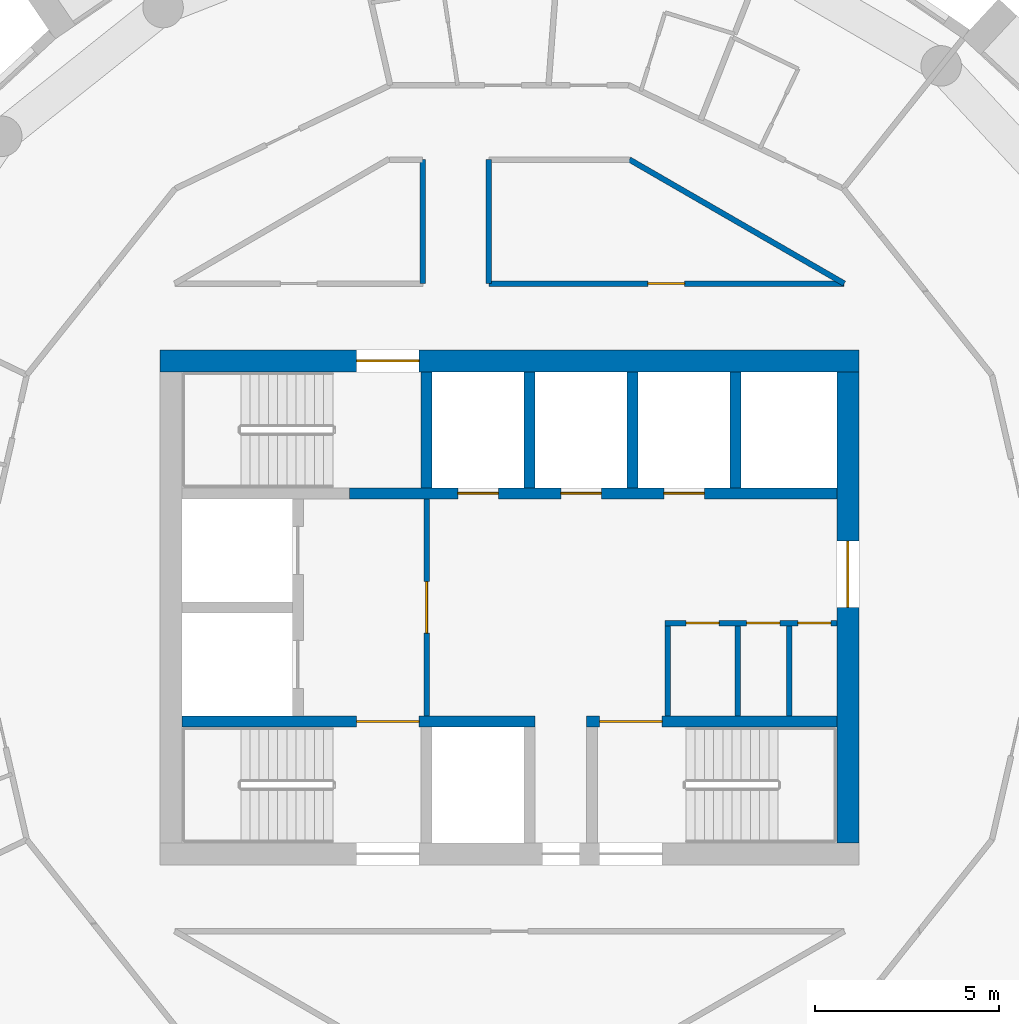
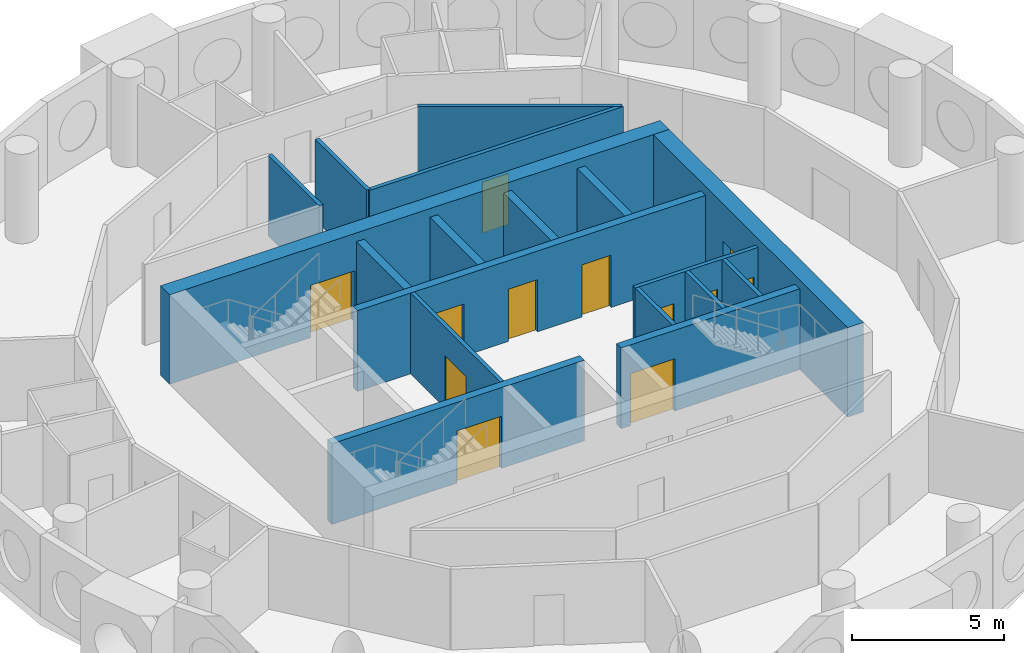
# One storey, part 7 of 12: 18 walls, 12 doors, 12 openings.
"""IFC4 building model written with IfcOpenShell, lengths in metres."""

from ifc_helpers import new_model, si_unit, direction, frame, frame_2d, origin, place, context, subcontext, project, spatial, rectangle, extrude, material, layer, layer_set, type_object, element, fill, save


model = new_model("IFC4")

# Units and contexts
model_context = context("Model", 3, precision=1e-05, world=origin(), true_north=direction((0.0, 1.0)))
body_context = subcontext(model_context, "Body", "Model", "MODEL_VIEW")
ifc_project = project(units=[si_unit("LENGTHUNIT", "METRE"), si_unit("AREAUNIT", "SQUARE_METRE"), si_unit("VOLUMEUNIT", "CUBIC_METRE"), si_unit("PLANEANGLEUNIT", "RADIAN"), si_unit("MASSUNIT", "GRAM", prefix="KILO")], contexts=[model_context])

# Site, building, storey
site_placement = place(None, origin())
site = spatial("IfcSite", under=ifc_project, at=site_placement, CompositionType="ELEMENT")
building_placement = place(site_placement, origin())
building = spatial("IfcBuilding", under=site, at=building_placement, Name="Tracery Tower", CompositionType="ELEMENT")
storey_placement = place(building_placement, frame((0.0, 0.0, 245.39990234375)))
storey = spatial("IfcBuildingStorey", under=building, at=storey_placement, Name="L63", CompositionType="ELEMENT", Elevation=245.39990234375)

# Wall, opening, door
ifc_material_1 = material(Name="Plasterboard on steel studs", Category="steel")
ifc_layer_1 = layer(ifc_material_1, 0.14990234375)
ifc_layer_set_1 = layer_set([ifc_layer_1], Name="Core lobby partition 150")
wall_type_1 = type_object("IfcWallType", Name="Core lobby partition 150", PredefinedType="SOLIDWALL", material=ifc_layer_set_1)
wall_1_placement = place(storey_placement, frame((-2.25, -2.949951171875, 0.0), z_axis=(0.0, 0.0, 1.0), x_axis=(0.0, 1.0, 0.0)))
wall_1 = element("IfcWall", 1, at=wall_1_placement, inside=storey, type_object=wall_type_1, Name="L63 FF lobby E", PredefinedType="SOLIDWALL", context=body_context, shape_type="SweptSolid", body=[
    extrude(rectangle(XDim=5.89990234375, YDim=0.14990234375, at=frame_2d((2.949951171875, 0.0))), origin(), (0.0, 0.0, 1.0), 3.25),
])
opening_1_placement = place(wall_1_placement, frame((2.25, 0.0, 0.0)))
opening_1 = element("IfcOpeningElement", 2, at=opening_1_placement, cuts=wall_1, Name="Opening KD8", PredefinedType="OPENING", context=body_context, shape_type="SweptSolid", body=[
    extrude(rectangle(XDim=1.39990234375, YDim=2.10009765625, at=frame_2d((0.699951171875, 1.050048828125))), frame((0.0, 0.074951171875, 0.0), z_axis=(0.0, -1.0, 0.0), x_axis=(1.0, 0.0, 0.0)), (0.0, 0.0, 1.0), 0.14990234375),
])
ifc_material_2 = material(Name="Steel fire door", Category="steel")
door_type_1 = type_object("IfcDoorType", Name="Core lobby door 1400 double", OperationType="NOTDEFINED", PredefinedType="DOOR", material=ifc_material_2)
door_1_placement = place(opening_1_placement, origin())
door_1 = element("IfcDoor", 3, at=door_1_placement, inside=storey, type_object=door_type_1, Name="Fire-fighting lobby door", OperationType="DOUBLE_DOOR_SINGLE_SWING", OverallHeight=2.10009765625, OverallWidth=1.39990234375, PredefinedType="DOOR", context=body_context, shape_type="SweptSolid", body=[
    extrude(rectangle(XDim=1.39990234375, YDim=2.10009765625, at=frame_2d((0.699951171875, 1.050048828125))), frame((0.0, 0.02490234375, 0.0), z_axis=(0.0, -1.0, 0.0), x_axis=(1.0, 0.0, 0.0)), (0.0, 0.0, 1.0), 0.050048828125),
])
fill(opening_1, door_1)

# Wall
ifc_material_3 = material(Name="Plasterboard on steel studs", Category="steel")
ifc_layer_2 = layer(ifc_material_3, 0.14990234375)
ifc_layer_set_2 = layer_set([ifc_layer_2], Name="Core room partition 150")
wall_type_2 = type_object("IfcWallType", Name="Core room partition 150", PredefinedType="SOLIDWALL", material=ifc_layer_set_2)
wall_2_placement = place(storey_placement, frame((4.300048828125, -2.949951171875, 0.0), z_axis=(0.0, 0.0, 1.0), x_axis=(0.0, 1.0, 0.0)))
element("IfcWall", 4, at=wall_2_placement, inside=storey, type_object=wall_type_2, Name="L63 slot W", PredefinedType="SOLIDWALL", context=body_context, shape_type="SweptSolid", body=[
    extrude(rectangle(XDim=2.449951171875, YDim=0.14990234375, at=frame_2d((1.22509765625, 0.0))), origin(), (0.0, 0.0, 1.0), 3.25),
])

# Wall, openings, doors
wall_3_placement = place(storey_placement, frame((4.22509765625, -0.425048828125, 0.0), z_axis=(0.0, 0.0, 1.0), x_axis=(1.0, 0.0, 0.0)))
wall_3 = element("IfcWall", 5, at=wall_3_placement, inside=storey, type_object=wall_type_2, Name="L63 slot N", PredefinedType="SOLIDWALL", context=body_context, shape_type="SweptSolid", body=[
    extrude(rectangle(XDim=4.6748046875, YDim=0.14990234375, at=frame_2d((2.33740234375, 0.0))), origin(), (0.0, 0.0, 1.0), 3.25),
])
opening_2_placement = place(wall_3_placement, frame((0.574951171875, 0.0, 0.0)))
opening_2 = element("IfcOpeningElement", 6, at=opening_2_placement, cuts=wall_3, Name="Opening KD22", PredefinedType="OPENING", context=body_context, shape_type="SweptSolid", body=[
    extrude(rectangle(XDim=0.89990234375, YDim=2.10009765625, at=frame_2d((0.449951171875, 1.050048828125))), frame((0.0, 0.074951171875, 0.0), z_axis=(0.0, -1.0, 0.0), x_axis=(1.0, 0.0, 0.0)), (0.0, 0.0, 1.0), 0.14990234375),
])
opening_3_placement = place(wall_3_placement, frame((2.22509765625, 0.0, 0.0)))
opening_3 = element("IfcOpeningElement", 7, at=opening_3_placement, cuts=wall_3, Name="Opening KD26", PredefinedType="OPENING", context=body_context, shape_type="SweptSolid", body=[
    extrude(rectangle(XDim=0.89990234375, YDim=2.10009765625, at=frame_2d((0.449951171875, 1.050048828125))), frame((0.0, 0.074951171875, 0.0), z_axis=(0.0, -1.0, 0.0), x_axis=(1.0, 0.0, 0.0)), (0.0, 0.0, 1.0), 0.14990234375),
])
opening_4_placement = place(wall_3_placement, frame((3.612548828125, 0.0, 0.0)))
opening_4 = element("IfcOpeningElement", 8, at=opening_4_placement, cuts=wall_3, Name="Opening KD32", PredefinedType="OPENING", context=body_context, shape_type="SweptSolid", body=[
    extrude(rectangle(XDim=0.89990234375, YDim=2.10009765625, at=frame_2d((0.449951171875, 1.050048828125))), frame((0.0, 0.074951171875, 0.0), z_axis=(0.0, -1.0, 0.0), x_axis=(1.0, 0.0, 0.0)), (0.0, 0.0, 1.0), 0.14990234375),
])
ifc_material_4 = material(Name="Timber door leaf", Category="wood")
door_type_2 = type_object("IfcDoorType", Name="Core WC door 900", OperationType="NOTDEFINED", PredefinedType="DOOR", material=ifc_material_4)
door_2_placement = place(opening_2_placement, origin())
door_2 = element("IfcDoor", 9, at=door_2_placement, inside=storey, type_object=door_type_2, Name="Core door", OperationType="SINGLE_SWING_RIGHT", OverallHeight=2.10009765625, OverallWidth=0.89990234375, PredefinedType="DOOR", context=body_context, shape_type="SweptSolid", body=[
    extrude(rectangle(XDim=0.89990234375, YDim=2.10009765625, at=frame_2d((0.449951171875, 1.050048828125))), frame((0.0, 0.02490234375, 0.0), z_axis=(0.0, -1.0, 0.0), x_axis=(1.0, 0.0, 0.0)), (0.0, 0.0, 1.0), 0.050048828125),
])
fill(opening_2, door_2)
ifc_material_5 = material(Name="Steel fire door", Category="steel")
door_type_3 = type_object("IfcDoorType", Name="Core riser door 900", OperationType="NOTDEFINED", PredefinedType="DOOR", material=ifc_material_5)
door_3_placement = place(opening_4_placement, origin())
door_3 = element("IfcDoor", 10, at=door_3_placement, inside=storey, type_object=door_type_3, Name="Core door", OperationType="SINGLE_SWING_RIGHT", OverallHeight=2.10009765625, OverallWidth=0.89990234375, PredefinedType="DOOR", context=body_context, shape_type="SweptSolid", body=[
    extrude(rectangle(XDim=0.89990234375, YDim=2.10009765625, at=frame_2d((0.449951171875, 1.050048828125))), frame((0.0, 0.02490234375, 0.0), z_axis=(0.0, -1.0, 0.0), x_axis=(1.0, 0.0, 0.0)), (0.0, 0.0, 1.0), 0.050048828125),
])
fill(opening_4, door_3)
ifc_material_6 = material(Name="Timber door leaf", Category="wood")
door_type_4 = type_object("IfcDoorType", Name="Core store door 900", OperationType="NOTDEFINED", PredefinedType="DOOR", material=ifc_material_6)
door_4_placement = place(opening_3_placement, origin())
door_4 = element("IfcDoor", 11, at=door_4_placement, inside=storey, type_object=door_type_4, Name="Core door", OperationType="SINGLE_SWING_LEFT", OverallHeight=2.10009765625, OverallWidth=0.89990234375, PredefinedType="DOOR", context=body_context, shape_type="SweptSolid", body=[
    extrude(rectangle(XDim=0.89990234375, YDim=2.10009765625, at=frame_2d((0.449951171875, 1.050048828125))), frame((0.0, 0.02490234375, 0.0), z_axis=(0.0, -1.0, 0.0), x_axis=(1.0, 0.0, 0.0)), (0.0, 0.0, 1.0), 0.050048828125),
])
fill(opening_3, door_4)

# Walls
for number, where, z_axis, x_axis, name in (
    (12, (6.199951171875, -2.949951171875, 0.0), (0.0, 0.0, 1.0), (0.0, 1.0, 0.0), "L63 slot sep 1"),
    (13, (7.60009765625, -2.949951171875, 0.0), (0.0, 0.0, 1.0), (0.0, 1.0, 0.0), "L63 slot sep 2"),
):
    element("IfcWall", number, at=place(storey_placement, frame(where, z_axis=z_axis, x_axis=x_axis)), inside=storey, type_object=wall_type_2, Name=name, PredefinedType="SOLIDWALL", context=body_context, shape_type="SweptSolid", body=[
        extrude(rectangle(XDim=2.449951171875, YDim=0.14990234375, at=frame_2d((1.22509765625, 0.0))), origin(), (0.0, 0.0, 1.0), 3.25),
    ])

# Wall, opening, door
ifc_material_7 = material(Name="Concrete C40/50", Category="concrete")
ifc_layer_3 = layer(ifc_material_7, 0.60009765625)
ifc_layer_set_3 = layer_set([ifc_layer_3], Name="Core wall 600 C40")
wall_type_3 = type_object("IfcWallType", Name="Core wall 600 C40", PredefinedType="SOLIDWALL", material=ifc_layer_set_3)
wall_4_placement = place(storey_placement, frame((-9.5, 6.699951171875, 0.0), z_axis=(0.0, 0.0, 1.0), x_axis=(1.0, 0.0, 0.0)))
wall_4 = element("IfcWall", 14, at=wall_4_placement, inside=storey, type_object=wall_type_3, Name="L63 outer N", PredefinedType="SOLIDWALL", context=body_context, shape_type="SweptSolid", body=[
    extrude(rectangle(XDim=19.0, YDim=0.60009765625, at=frame_2d((9.5, 0.0))), origin(), (0.0, 0.0, 1.0), 3.60009765625),
])
opening_5_placement = place(wall_4_placement, frame((5.35009765625, 0.0, 0.0)))
opening_5 = element("IfcOpeningElement", 15, at=opening_5_placement, cuts=wall_4, Name="Opening KD3", PredefinedType="OPENING", context=body_context, shape_type="SweptSolid", body=[
    extrude(rectangle(XDim=1.699951171875, YDim=2.10009765625, at=frame_2d((0.85009765625, 1.050048828125))), frame((0.0, 0.300048828125, 0.0), z_axis=(0.0, -1.0, 0.0), x_axis=(1.0, 0.0, 0.0)), (0.0, 0.0, 1.0), 0.60009765625),
])
ifc_material_8 = material(Name="Steel fire door", Category="steel")
door_type_5 = type_object("IfcDoorType", Name="Core stair door 1700 double", OperationType="NOTDEFINED", PredefinedType="DOOR", material=ifc_material_8)
door_5_placement = place(opening_5_placement, origin())
door_5 = element("IfcDoor", 16, at=door_5_placement, inside=storey, type_object=door_type_5, Name="Stair door ST3 exit", OperationType="DOUBLE_DOOR_SINGLE_SWING", OverallHeight=2.10009765625, OverallWidth=1.699951171875, PredefinedType="DOOR", context=body_context, shape_type="SweptSolid", body=[
    extrude(rectangle(XDim=1.699951171875, YDim=2.10009765625, at=frame_2d((0.85009765625, 1.050048828125))), frame((0.0, 0.02490234375, 0.0), z_axis=(0.0, -1.0, 0.0), x_axis=(1.0, 0.0, 0.0)), (0.0, 0.0, 1.0), 0.050048828125),
])
fill(opening_5, door_5)

wall_5_placement = place(storey_placement, frame((9.199951171875, -6.39990234375, 0.0), z_axis=(0.0, 0.0, 1.0), x_axis=(0.0, 1.0, 0.0)))
wall_5 = element("IfcWall", 17, at=wall_5_placement, inside=storey, type_object=wall_type_3, Name="L63 outer E", PredefinedType="SOLIDWALL", context=body_context, shape_type="SweptSolid", body=[
    extrude(rectangle(XDim=12.7998046875, YDim=0.60009765625, at=frame_2d((6.39990234375, 0.0))), origin(), (0.0, 0.0, 1.0), 3.60009765625),
])
opening_6_placement = place(wall_5_placement, frame((6.39990234375, 0.0, 0.0)))
opening_6 = element("IfcOpeningElement", 18, at=opening_6_placement, cuts=wall_5, Name="Opening KD13", PredefinedType="OPENING", context=body_context, shape_type="SweptSolid", body=[
    extrude(rectangle(XDim=1.800048828125, YDim=2.10009765625, at=frame_2d((0.89990234375, 1.050048828125))), frame((0.0, 0.300048828125, 0.0), z_axis=(0.0, -1.0, 0.0), x_axis=(1.0, 0.0, 0.0)), (0.0, 0.0, 1.0), 0.60009765625),
])
ifc_material_9 = material(Name="Steel fire door", Category="steel")
door_type_6 = type_object("IfcDoorType", Name="Core exit door 1800 double", OperationType="NOTDEFINED", PredefinedType="DOOR", material=ifc_material_9)
door_6_placement = place(opening_6_placement, origin())
door_6 = element("IfcDoor", 19, at=door_6_placement, inside=storey, type_object=door_type_6, Name="Core exit door", OperationType="DOUBLE_DOOR_SINGLE_SWING", OverallHeight=2.10009765625, OverallWidth=1.800048828125, PredefinedType="DOOR", context=body_context, shape_type="SweptSolid", body=[
    extrude(rectangle(XDim=1.800048828125, YDim=2.10009765625, at=frame_2d((0.89990234375, 1.050048828125))), frame((0.0, 0.02490234375, 0.0), z_axis=(0.0, -1.0, 0.0), x_axis=(1.0, 0.0, 0.0)), (0.0, 0.0, 1.0), 0.050048828125),
])
fill(opening_6, door_6)

ifc_material_10 = material(Name="Plasterboard on steel studs", Category="steel")
ifc_layer_4 = layer(ifc_material_10, 0.14990234375)
ifc_layer_set_4 = layer_set([ifc_layer_4], Name="Partition 150 corridor wall")
wall_type_4 = type_object("IfcWallType", Name="Partition 150 corridor wall", PredefinedType="PARTITIONING", material=ifc_layer_set_4)
wall_6_placement = place(storey_placement, frame((-0.56005859375, 8.800048828125, 0.0), z_axis=(0.0, 0.0, 1.0), x_axis=(1.0, 0.0, 0.0)))
wall_6 = element("IfcWall", 20, at=wall_6_placement, inside=storey, type_object=wall_type_4, Name="Corridor wall RC2-003", PredefinedType="PARTITIONING", context=body_context, shape_type="SweptSolid", body=[
    extrude(rectangle(XDim=9.66064453125, YDim=0.14990234375, at=frame_2d((4.830322265625, 0.0))), origin(), (0.0, 0.0, 1.0), 3.25),
])
opening_7_placement = place(wall_6_placement, frame((4.325927734375, 0.0, 0.0)))
opening_7 = element("IfcOpeningElement", 21, at=opening_7_placement, cuts=wall_6, Name="Opening RC2-02", PredefinedType="OPENING", context=body_context, shape_type="SweptSolid", body=[
    extrude(rectangle(XDim=1.0, YDim=2.0400390625, at=frame_2d((0.5, 1.02001953125))), frame((0.0, 0.074951171875, 0.0), z_axis=(0.0, -1.0, 0.0), x_axis=(1.0, 0.0, 0.0)), (0.0, 0.0, 1.0), 0.14990234375),
])
ifc_material_11 = material(Name="Timber door leaf", Category="wood")
door_type_7 = type_object("IfcDoorType", Name="Door communal room 1000", OperationType="NOTDEFINED", PredefinedType="DOOR", material=ifc_material_11)
door_7_placement = place(opening_7_placement, origin())
door_7 = element("IfcDoor", 22, at=door_7_placement, inside=storey, type_object=door_type_7, Name="Communal room door RC2-02", OperationType="SINGLE_SWING_LEFT", OverallHeight=2.0400390625, OverallWidth=1.0, PredefinedType="DOOR", context=body_context, shape_type="SweptSolid", body=[
    extrude(rectangle(XDim=1.0, YDim=2.0400390625, at=frame_2d((0.5, 1.02001953125))), frame((0.0, 0.02490234375, 0.0), z_axis=(0.0, -1.0, 0.0), x_axis=(1.0, 0.0, 0.0)), (0.0, 0.0, 1.0), 0.050048828125),
])
fill(opening_7, door_7)

# Walls
wall_7_placement = place(storey_placement, frame((-2.35595703125, 8.800048828125, 0.0), z_axis=(0.0, 0.0, 1.0), x_axis=(0.0, 1.0, 0.0)))
element("IfcWall", 23, at=wall_7_placement, inside=storey, type_object=wall_type_4, Name="Corridor wall RC2-024", PredefinedType="PARTITIONING", context=body_context, shape_type="SweptSolid", body=[
    extrude(rectangle(XDim=3.370849609375, YDim=0.14990234375, at=frame_2d((1.685546875, 0.0))), origin(), (0.0, 0.0, 1.0), 3.25),
])
wall_8_placement = place(storey_placement, frame((3.260986328125, 12.1708984375, 0.0), z_axis=(0.0, 0.0, 1.0), x_axis=(0.866066809554, -0.499928276245, 0.0)))
element("IfcWall", 24, at=wall_8_placement, inside=storey, type_object=wall_type_4, Name="Corridor wall RC2-026", PredefinedType="PARTITIONING", context=body_context, shape_type="SweptSolid", body=[
    extrude(rectangle(XDim=6.74267578125, YDim=0.14990234375, at=frame_2d((3.371337890625, 0.0))), origin(), (0.0, 0.0, 1.0), 3.25),
])
wall_9_placement = place(storey_placement, frame((-0.555908203125, 8.800048828125, 0.0), z_axis=(0.0, 0.0, 1.0), x_axis=(0.0, 1.0, 0.0)))
element("IfcWall", 25, at=wall_9_placement, inside=storey, type_object=wall_type_4, Name="Corridor wall RC2-028", PredefinedType="PARTITIONING", context=body_context, shape_type="SweptSolid", body=[
    extrude(rectangle(XDim=3.370849609375, YDim=0.14990234375, at=frame_2d((1.685546875, 0.0))), origin(), (0.0, 0.0, 1.0), 3.25),
])
ifc_material_12 = material(Name="Concrete C40/50", Category="concrete")
ifc_layer_5 = layer(ifc_material_12, 0.300048828125)
ifc_layer_set_5 = layer_set([ifc_layer_5], Name="Shaft wall 300 C40")
wall_type_5 = type_object("IfcWallType", Name="Shaft wall 300 C40", PredefinedType="SOLIDWALL", material=ifc_layer_set_5)
for number, where, z_axis, x_axis, name in (
    (26, (0.550048828125, 3.25, 0.0), (0.0, 0.0, 1.0), (0.0, 1.0, 0.0), "L63 HR sep 1"),
    (27, (3.35009765625, 3.25, 0.0), (0.0, 0.0, 1.0), (0.0, 1.0, 0.0), "L63 HR sep 2"),
    (28, (6.14990234375, 3.25, 0.0), (0.0, 0.0, 1.0), (0.0, 1.0, 0.0), "L63 HR sep 3"),
):
    element("IfcWall", number, at=place(storey_placement, frame(where, z_axis=z_axis, x_axis=x_axis)), inside=storey, type_object=wall_type_5, Name=name, PredefinedType="SOLIDWALL", context=body_context, shape_type="SweptSolid", body=[
        extrude(rectangle(XDim=3.14990234375, YDim=0.300048828125, at=frame_2d((1.574951171875, 0.0))), origin(), (0.0, 0.0, 1.0), 3.25),
    ])

# Wall, opening, door
ifc_material_13 = material(Name="Concrete C40/50", Category="concrete")
ifc_layer_6 = layer(ifc_material_13, 0.300048828125)
ifc_layer_set_6 = layer_set([ifc_layer_6], Name="Stair wall 300 C40")
wall_type_6 = type_object("IfcWallType", Name="Stair wall 300 C40", PredefinedType="SOLIDWALL", material=ifc_layer_set_6)
wall_10_placement = place(storey_placement, frame((-8.89990234375, -3.10009765625, 0.0), z_axis=(0.0, 0.0, 1.0), x_axis=(1.0, 0.0, 0.0)))
wall_10 = element("IfcWall", 29, at=wall_10_placement, inside=storey, type_object=wall_type_6, Name="L63 row S", PredefinedType="SOLIDWALL", context=body_context, shape_type="SweptSolid", body=[
    extrude(rectangle(XDim=9.599853515625, YDim=0.300048828125, at=frame_2d((4.7998046875, 0.0))), origin(), (0.0, 0.0, 1.0), 3.25),
])
opening_8_placement = place(wall_10_placement, frame((4.75, 0.0, 0.0)))
opening_8 = element("IfcOpeningElement", 30, at=opening_8_placement, cuts=wall_10, Name="Opening KD3", PredefinedType="OPENING", context=body_context, shape_type="SweptSolid", body=[
    extrude(rectangle(XDim=1.699951171875, YDim=2.10009765625, at=frame_2d((0.85009765625, 1.050048828125))), frame((0.0, 0.14990234375, 0.0), z_axis=(0.0, -1.0, 0.0), x_axis=(1.0, 0.0, 0.0)), (0.0, 0.0, 1.0), 0.300048828125),
])
door_8_placement = place(opening_8_placement, origin())
door_8 = element("IfcDoor", 31, at=door_8_placement, inside=storey, type_object=door_type_5, Name="Stair door ST1", OperationType="DOUBLE_DOOR_SINGLE_SWING", OverallHeight=2.10009765625, OverallWidth=1.699951171875, PredefinedType="DOOR", context=body_context, shape_type="SweptSolid", body=[
    extrude(rectangle(XDim=1.699951171875, YDim=2.10009765625, at=frame_2d((0.85009765625, 1.050048828125))), frame((0.0, 0.02490234375, 0.0), z_axis=(0.0, -1.0, 0.0), x_axis=(1.0, 0.0, 0.0)), (0.0, 0.0, 1.0), 0.050048828125),
])
fill(opening_8, door_8)

wall_11_placement = place(storey_placement, frame((2.10009765625, -3.10009765625, 0.0), z_axis=(0.0, 0.0, 1.0), x_axis=(1.0, 0.0, 0.0)))
wall_11 = element("IfcWall", 32, at=wall_11_placement, inside=storey, type_object=wall_type_6, Name="L63 row S E", PredefinedType="SOLIDWALL", context=body_context, shape_type="SweptSolid", body=[
    extrude(rectangle(XDim=6.7998046875, YDim=0.300048828125, at=frame_2d((3.39990234375, 0.0))), origin(), (0.0, 0.0, 1.0), 3.25),
])
opening_9_placement = place(wall_11_placement, frame((0.35009765625, 0.0, 0.0)))
opening_9 = element("IfcOpeningElement", 33, at=opening_9_placement, cuts=wall_11, Name="Opening KD3", PredefinedType="OPENING", context=body_context, shape_type="SweptSolid", body=[
    extrude(rectangle(XDim=1.699951171875, YDim=2.10009765625, at=frame_2d((0.85009765625, 1.050048828125))), frame((0.0, 0.14990234375, 0.0), z_axis=(0.0, -1.0, 0.0), x_axis=(1.0, 0.0, 0.0)), (0.0, 0.0, 1.0), 0.300048828125),
])
door_9_placement = place(opening_9_placement, origin())
door_9 = element("IfcDoor", 34, at=door_9_placement, inside=storey, type_object=door_type_5, Name="Stair door ST2", OperationType="DOUBLE_DOOR_SINGLE_SWING", OverallHeight=2.10009765625, OverallWidth=1.699951171875, PredefinedType="DOOR", context=body_context, shape_type="SweptSolid", body=[
    extrude(rectangle(XDim=1.699951171875, YDim=2.10009765625, at=frame_2d((0.85009765625, 1.050048828125))), frame((0.0, 0.02490234375, 0.0), z_axis=(0.0, -1.0, 0.0), x_axis=(1.0, 0.0, 0.0)), (0.0, 0.0, 1.0), 0.050048828125),
])
fill(opening_9, door_9)

# Wall, openings, doors
wall_12_placement = place(storey_placement, frame((-4.35009765625, 3.10009765625, 0.0), z_axis=(0.0, 0.0, 1.0), x_axis=(1.0, 0.0, 0.0)))
wall_12 = element("IfcWall", 35, at=wall_12_placement, inside=storey, type_object=wall_type_6, Name="L63 row N", PredefinedType="SOLIDWALL", context=body_context, shape_type="SweptSolid", body=[
    extrude(rectangle(XDim=13.25, YDim=0.300048828125, at=frame_2d((6.625, 0.0))), origin(), (0.0, 0.0, 1.0), 3.25),
])
opening_10_placement = place(wall_12_placement, frame((2.949951171875, 0.0, 0.0)))
opening_10 = element("IfcOpeningElement", 36, at=opening_10_placement, cuts=wall_12, Name="Opening KD49", PredefinedType="OPENING", context=body_context, shape_type="SweptSolid", body=[
    extrude(rectangle(XDim=1.10009765625, YDim=2.10009765625, at=frame_2d((0.550048828125, 1.050048828125))), frame((0.0, 0.14990234375, 0.0), z_axis=(0.0, -1.0, 0.0), x_axis=(1.0, 0.0, 0.0)), (0.0, 0.0, 1.0), 0.300048828125),
])
opening_11_placement = place(wall_12_placement, frame((5.75, 0.0, 0.0)))
opening_11 = element("IfcOpeningElement", 37, at=opening_11_placement, cuts=wall_12, Name="Opening KD50", PredefinedType="OPENING", context=body_context, shape_type="SweptSolid", body=[
    extrude(rectangle(XDim=1.10009765625, YDim=2.10009765625, at=frame_2d((0.550048828125, 1.050048828125))), frame((0.0, 0.14990234375, 0.0), z_axis=(0.0, -1.0, 0.0), x_axis=(1.0, 0.0, 0.0)), (0.0, 0.0, 1.0), 0.300048828125),
])
opening_12_placement = place(wall_12_placement, frame((8.550048828125, 0.0, 0.0)))
opening_12 = element("IfcOpeningElement", 38, at=opening_12_placement, cuts=wall_12, Name="Opening KD49", PredefinedType="OPENING", context=body_context, shape_type="SweptSolid", body=[
    extrude(rectangle(XDim=1.10009765625, YDim=2.10009765625, at=frame_2d((0.550048828125, 1.050048828125))), frame((0.0, 0.14990234375, 0.0), z_axis=(0.0, -1.0, 0.0), x_axis=(1.0, 0.0, 0.0)), (0.0, 0.0, 1.0), 0.300048828125),
])
ifc_material_14 = material(Name="Steel fire door", Category="steel")
door_type_8 = type_object("IfcDoorType", Name="Landing door 1100", OperationType="NOTDEFINED", PredefinedType="DOOR", material=ifc_material_14)
door_10_placement = place(opening_10_placement, origin())
door_10 = element("IfcDoor", 39, at=door_10_placement, inside=storey, type_object=door_type_8, Name="Landing door HR1", OperationType="SLIDING_TO_LEFT", OverallHeight=2.10009765625, OverallWidth=1.10009765625, PredefinedType="DOOR", context=body_context, shape_type="SweptSolid", body=[
    extrude(rectangle(XDim=1.10009765625, YDim=2.10009765625, at=frame_2d((0.550048828125, 1.050048828125))), frame((0.0, 0.02490234375, 0.0), z_axis=(0.0, -1.0, 0.0), x_axis=(1.0, 0.0, 0.0)), (0.0, 0.0, 1.0), 0.050048828125),
])
fill(opening_10, door_10)
door_11_placement = place(opening_11_placement, origin())
door_11 = element("IfcDoor", 40, at=door_11_placement, inside=storey, type_object=door_type_8, Name="Landing door HR2", OperationType="SLIDING_TO_RIGHT", OverallHeight=2.10009765625, OverallWidth=1.10009765625, PredefinedType="DOOR", context=body_context, shape_type="SweptSolid", body=[
    extrude(rectangle(XDim=1.10009765625, YDim=2.10009765625, at=frame_2d((0.550048828125, 1.050048828125))), frame((0.0, 0.02490234375, 0.0), z_axis=(0.0, -1.0, 0.0), x_axis=(1.0, 0.0, 0.0)), (0.0, 0.0, 1.0), 0.050048828125),
])
fill(opening_11, door_11)
door_12_placement = place(opening_12_placement, origin())
door_12 = element("IfcDoor", 41, at=door_12_placement, inside=storey, type_object=door_type_8, Name="Landing door HR3", OperationType="SLIDING_TO_LEFT", OverallHeight=2.10009765625, OverallWidth=1.10009765625, PredefinedType="DOOR", context=body_context, shape_type="SweptSolid", body=[
    extrude(rectangle(XDim=1.10009765625, YDim=2.10009765625, at=frame_2d((0.550048828125, 1.050048828125))), frame((0.0, 0.02490234375, 0.0), z_axis=(0.0, -1.0, 0.0), x_axis=(1.0, 0.0, 0.0)), (0.0, 0.0, 1.0), 0.050048828125),
])
fill(opening_12, door_12)

# Wall
wall_13_placement = place(storey_placement, frame((-2.25, 3.25, 0.0), z_axis=(0.0, 0.0, 1.0), x_axis=(0.0, 1.0, 0.0)))
element("IfcWall", 42, at=wall_13_placement, inside=storey, type_object=wall_type_6, Name="L63 ST3 E", PredefinedType="SOLIDWALL", context=body_context, shape_type="SweptSolid", body=[
    extrude(rectangle(XDim=3.14990234375, YDim=0.300048828125, at=frame_2d((1.574951171875, 0.0))), origin(), (0.0, 0.0, 1.0), 3.25),
])

save(model, "model.ifc")
